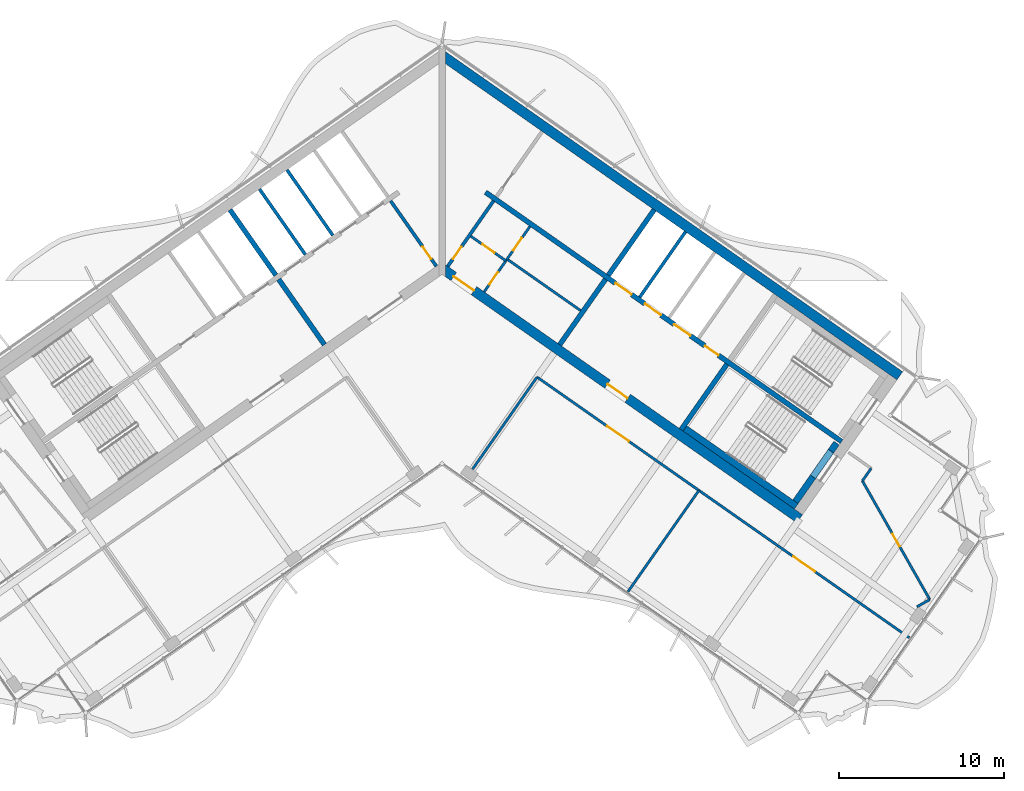
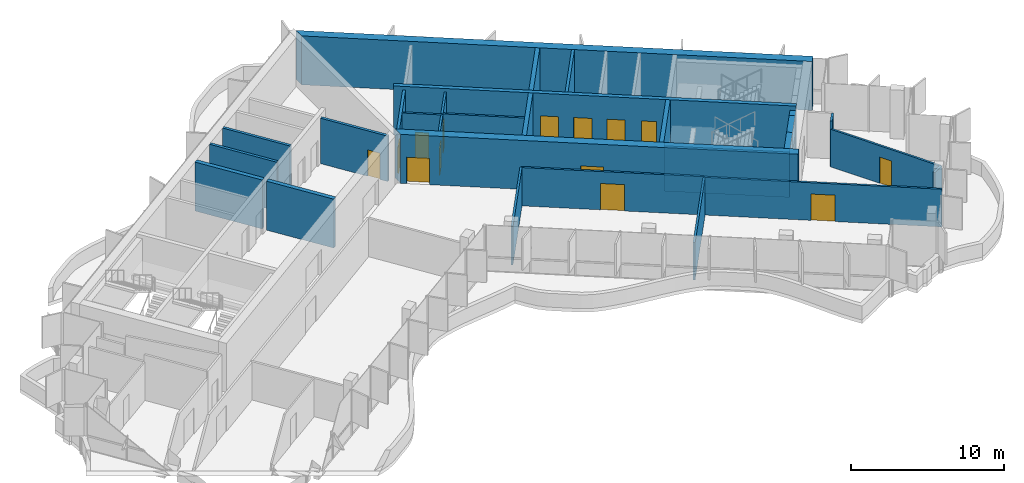
# One storey, part 12 of 19: 27 walls, 14 doors, 14 openings.
"""IFC4 building model written with IfcOpenShell, lengths in metres."""

from ifc_helpers import new_model, si_unit, direction, frame, frame_2d, origin, place, context, subcontext, project, spatial, polyline, rectangle, outline, extrude, material, layer, layer_set, type_object, element, fill, save


model = new_model("IFC4")

# Units and contexts
model_context = context("Model", 3, precision=1e-05, world=origin(), true_north=direction((0.0, 1.0)))
body_context = subcontext(model_context, "Body", "Model", "MODEL_VIEW")
ifc_project = project(units=[si_unit("LENGTHUNIT", "METRE"), si_unit("AREAUNIT", "SQUARE_METRE"), si_unit("VOLUMEUNIT", "CUBIC_METRE"), si_unit("PLANEANGLEUNIT", "RADIAN"), si_unit("MASSUNIT", "GRAM", prefix="KILO")], contexts=[model_context])

# Site, building, storey
site_placement = place(None, origin())
site = spatial("IfcSite", under=ifc_project, at=site_placement, CompositionType="ELEMENT")
building_placement = place(site_placement, origin())
building = spatial("IfcBuilding", under=site, at=building_placement, Name="Tel Ilan Convention Tower", CompositionType="ELEMENT")
storey_placement = place(building_placement, frame((0.0, 0.0, 241.0)))
storey = spatial("IfcBuildingStorey", under=building, at=storey_placement, Name="L56", CompositionType="ELEMENT", Elevation=241.0)

# Wall, openings, doors
ifc_material_1 = material(Name="Gypsum Plasterboard on Steel Stud", Category="steel")
ifc_layer_1 = layer(ifc_material_1, 0.14990234375)
ifc_layer_set_1 = layer_set([ifc_layer_1], Name="Core Room Partition Wall 150 mm EI 60")
wall_type_1 = type_object("IfcWallType", Name="Core Room Partition Wall 150 mm EI 60", PredefinedType="PARTITIONING", material=ifc_layer_set_1)
wall_1_placement = place(storey_placement, frame((2.5556640625, -2.27783203125, 0.0), z_axis=(0.0, 0.0, 1.0), x_axis=(0.573560315113, 0.819163332265, 0.0)))
wall_1 = element("IfcWall", 1, at=wall_1_placement, inside=storey, type_object=wall_type_1, Name="L56 core wall wc-v1", PredefinedType="PARTITIONING", context=body_context, shape_type="SweptSolid", body=[
    extrude(rectangle(XDim=4.849853515625, YDim=0.14990234375, at=frame_2d((2.4248046875, 0.0))), origin(), (0.0, 0.0, 1.0), 3.6201171875),
])
opening_1_placement = place(wall_1_placement, frame((0.550048828125, 0.0, 0.0)))
opening_1 = element("IfcOpeningElement", 2, at=opening_1_placement, cuts=wall_1, Name="Opening CD4311", PredefinedType="OPENING", context=body_context, shape_type="SweptSolid", body=[
    extrude(rectangle(XDim=0.89990234375, YDim=2.10009765625, at=frame_2d((0.449951171875, 1.050048828125))), frame((0.0, 0.0849609375, 0.0), z_axis=(0.0, -1.0, 0.0), x_axis=(1.0, 0.0, 0.0)), (0.0, 0.0, 1.0), 0.169921875),
])
opening_2_placement = place(wall_1_placement, frame((3.074951171875, 0.0, 0.0)))
opening_2 = element("IfcOpeningElement", 3, at=opening_2_placement, cuts=wall_1, Name="Opening CD4312", PredefinedType="OPENING", context=body_context, shape_type="SweptSolid", body=[
    extrude(rectangle(XDim=0.89990234375, YDim=2.10009765625, at=frame_2d((0.449951171875, 1.050048828125))), frame((0.0, 0.0849609375, 0.0), z_axis=(0.0, -1.0, 0.0), x_axis=(1.0, 0.0, 0.0)), (0.0, 0.0, 1.0), 0.169921875),
])
ifc_material_2 = material(Name="Laminated Timber Door Leaf", Category="wood")
door_type_1 = type_object("IfcDoorType", Name="Toilet Door 900 x 2100 FD30S", OperationType="NOTDEFINED", PredefinedType="DOOR", material=ifc_material_2)
door_1_placement = place(opening_1_placement, origin())
door_1 = element("IfcDoor", 4, at=door_1_placement, inside=storey, type_object=door_type_1, Name="Women's WC door", OperationType="SINGLE_SWING_RIGHT", OverallHeight=2.10009765625, OverallWidth=0.89990234375, PredefinedType="DOOR", context=body_context, shape_type="SweptSolid", body=[
    extrude(rectangle(XDim=0.89990234375, YDim=2.10009765625, at=frame_2d((0.449951171875, 1.050048828125))), frame((0.0, 0.02490234375, 0.0), z_axis=(0.0, -1.0, 0.0), x_axis=(1.0, 0.0, 0.0)), (0.0, 0.0, 1.0), 0.050048828125),
])
fill(opening_1, door_1)
door_2_placement = place(opening_2_placement, origin())
door_2 = element("IfcDoor", 5, at=door_2_placement, inside=storey, type_object=door_type_1, Name="Men's WC door", OperationType="SINGLE_SWING_RIGHT", OverallHeight=2.10009765625, OverallWidth=0.89990234375, PredefinedType="DOOR", context=body_context, shape_type="SweptSolid", body=[
    extrude(rectangle(XDim=0.89990234375, YDim=2.10009765625, at=frame_2d((0.449951171875, 1.050048828125))), frame((0.0, 0.02490234375, 0.0), z_axis=(0.0, -1.0, 0.0), x_axis=(1.0, 0.0, 0.0)), (0.0, 0.0, 1.0), 0.050048828125),
])
fill(opening_2, door_2)

# Wall, opening, door
wall_2_placement = place(storey_placement, frame((1.7451171875, 1.097412109375, 0.0), z_axis=(0.0, 0.0, 1.0), x_axis=(0.819178980414, -0.573537965655, 0.0)))
wall_2 = element("IfcWall", 6, at=wall_2_placement, inside=storey, type_object=wall_type_1, Name="L56 core wall wc-h1", PredefinedType="PARTITIONING", context=body_context, shape_type="SweptSolid", body=[
    extrude(rectangle(XDim=2.60009765625, YDim=0.14990234375, at=frame_2d((1.300048828125, 0.0))), origin(), (0.0, 0.0, 1.0), 3.6201171875),
])
opening_3_placement = place(wall_2_placement, frame((0.85009765625, 0.0, 0.0)))
opening_3 = element("IfcOpeningElement", 7, at=opening_3_placement, cuts=wall_2, Name="Opening CD4310", PredefinedType="OPENING", context=body_context, shape_type="SweptSolid", body=[
    extrude(rectangle(XDim=0.89990234375, YDim=2.10009765625, at=frame_2d((0.449951171875, 1.050048828125))), frame((0.0, 0.0849609375, 0.0), z_axis=(0.0, -1.0, 0.0), x_axis=(1.0, 0.0, 0.0)), (0.0, 0.0, 1.0), 0.169921875),
])
door_3_placement = place(opening_3_placement, origin())
door_3 = element("IfcDoor", 8, at=door_3_placement, inside=storey, type_object=door_type_1, Name="Accessible WC door", OperationType="SINGLE_SWING_RIGHT", OverallHeight=2.10009765625, OverallWidth=0.89990234375, PredefinedType="DOOR", context=body_context, shape_type="SweptSolid", body=[
    extrude(rectangle(XDim=0.89990234375, YDim=2.10009765625, at=frame_2d((0.449951171875, 1.050048828125))), frame((0.0, 0.02490234375, 0.0), z_axis=(0.0, -1.0, 0.0), x_axis=(1.0, 0.0, 0.0)), (0.0, 0.0, 1.0), 0.050048828125),
])
fill(opening_3, door_3)

# Wall
wall_3_placement = place(storey_placement, frame((3.946533203125, -0.29150390625, 0.0), z_axis=(0.0, 0.0, 1.0), x_axis=(0.819151939971, -0.573576585332, 0.0)))
element("IfcWall", 9, at=wall_3_placement, inside=storey, type_object=wall_type_1, Name="L56 core wall wc-h2", PredefinedType="PARTITIONING", context=body_context, shape_type="SweptSolid", body=[
    extrude(rectangle(XDim=5.449951171875, YDim=0.14990234375, at=frame_2d((2.72509765625, 0.0))), origin(), (0.0, 0.0, 1.0), 3.6201171875),
])

# Wall, opening, door
ifc_material_3 = material(Name="Concrete C30/37", Category="concrete")
ifc_layer_2 = layer(ifc_material_3, 0.199951171875)
ifc_layer_set_2 = layer_set([ifc_layer_2], Name="Core Service Room Wall 200 mm C30/37")
wall_type_2 = type_object("IfcWallType", Name="Core Service Room Wall 200 mm C30/37", PredefinedType="SOLIDWALL", material=ifc_layer_set_2)
wall_4_placement = place(storey_placement, frame((-0.343994140625, -0.729248046875, 0.0), z_axis=(0.0, 0.0, 1.0), x_axis=(-0.573560315113, 0.819163332265, 0.0)))
wall_4 = element("IfcWall", 10, at=wall_4_placement, inside=storey, type_object=wall_type_2, Name="L56 core wall apex-W", PredefinedType="SOLIDWALL", context=body_context, shape_type="SweptSolid", body=[
    extrude(rectangle(XDim=4.849853515625, YDim=0.199951171875, at=frame_2d((2.4248046875, 0.0))), origin(), (0.0, 0.0, 1.0), 3.6201171875),
])
opening_4_placement = place(wall_4_placement, frame((0.550048828125, 0.0, 0.0)))
opening_4 = element("IfcOpeningElement", 11, at=opening_4_placement, cuts=wall_4, Name="Opening CD4302", PredefinedType="OPENING", context=body_context, shape_type="SweptSolid", body=[
    extrude(rectangle(XDim=0.89990234375, YDim=2.10009765625, at=frame_2d((0.449951171875, 1.050048828125))), frame((0.0, 0.10986328125, 0.0), z_axis=(0.0, -1.0, 0.0), x_axis=(1.0, 0.0, 0.0)), (0.0, 0.0, 1.0), 0.219970703125),
])
ifc_material_4 = material(Name="Galvanised Steel Door Leaf", Category="steel")
door_type_2 = type_object("IfcDoorType", Name="Service Room Door 900 x 2100 FD60", OperationType="NOTDEFINED", PredefinedType="DOOR", material=ifc_material_4)
door_4_placement = place(opening_4_placement, origin())
door_4 = element("IfcDoor", 12, at=door_4_placement, inside=storey, type_object=door_type_2, Name="Electrical Room door", OperationType="SINGLE_SWING_RIGHT", OverallHeight=2.10009765625, OverallWidth=0.89990234375, PredefinedType="DOOR", context=body_context, shape_type="SweptSolid", body=[
    extrude(rectangle(XDim=0.89990234375, YDim=2.10009765625, at=frame_2d((0.449951171875, 1.050048828125))), frame((0.0, 0.02490234375, 0.0), z_axis=(0.0, -1.0, 0.0), x_axis=(1.0, 0.0, 0.0)), (0.0, 0.0, 1.0), 0.050048828125),
])
fill(opening_4, door_4)

wall_5_placement = place(storey_placement, frame((0.343994140625, -0.729248046875, 0.0), z_axis=(0.0, 0.0, 1.0), x_axis=(0.573560315113, 0.819163332265, 0.0)))
wall_5 = element("IfcWall", 13, at=wall_5_placement, inside=storey, type_object=wall_type_2, Name="L56 core wall apex-E", PredefinedType="SOLIDWALL", context=body_context, shape_type="SweptSolid", body=[
    extrude(rectangle(XDim=4.849853515625, YDim=0.199951171875, at=frame_2d((2.4248046875, 0.0))), origin(), (0.0, 0.0, 1.0), 3.6201171875),
])
opening_5_placement = place(wall_5_placement, frame((0.550048828125, 0.0, 0.0)))
opening_5 = element("IfcOpeningElement", 14, at=opening_5_placement, cuts=wall_5, Name="Opening CD4301", PredefinedType="OPENING", context=body_context, shape_type="SweptSolid", body=[
    extrude(rectangle(XDim=0.89990234375, YDim=2.10009765625, at=frame_2d((0.449951171875, 1.050048828125))), frame((0.0, 0.10986328125, 0.0), z_axis=(0.0, -1.0, 0.0), x_axis=(1.0, 0.0, 0.0)), (0.0, 0.0, 1.0), 0.219970703125),
])
door_5_placement = place(opening_5_placement, origin())
door_5 = element("IfcDoor", 15, at=door_5_placement, inside=storey, type_object=door_type_2, Name="Store Room door", OperationType="SINGLE_SWING_RIGHT", OverallHeight=2.10009765625, OverallWidth=0.89990234375, PredefinedType="DOOR", context=body_context, shape_type="SweptSolid", body=[
    extrude(rectangle(XDim=0.89990234375, YDim=2.10009765625, at=frame_2d((0.449951171875, 1.050048828125))), frame((0.0, 0.02490234375, 0.0), z_axis=(0.0, -1.0, 0.0), x_axis=(1.0, 0.0, 0.0)), (0.0, 0.0, 1.0), 0.050048828125),
])
fill(opening_5, door_5)

# Walls
ifc_material_5 = material(Name="Concrete C40/50", Category="concrete")
ifc_layer_3 = layer(ifc_material_5, 0.300048828125)
ifc_layer_set_3 = layer_set([ifc_layer_3], Name="Core Shear Wall 300 mm C40/50")
wall_type_3 = type_object("IfcWallType", Name="Core Shear Wall 300 mm C40/50", PredefinedType="SHEAR", material=ifc_layer_set_3)
wall_6_placement = place(storey_placement, frame((-7.142822265625, -5.48974609375, 0.0), z_axis=(0.0, 0.0, 1.0), x_axis=(-0.573617744349, 0.819123118565, 0.0)))
element("IfcWall", 16, at=wall_6_placement, inside=storey, type_object=wall_type_3, Name="L56 core wall W-cross1-1", PredefinedType="SHEAR", context=body_context, shape_type="SweptSolid", body=[
    extrude(outline(polyline([(4.85009765625, 0.14990234375), (0.0, 0.150146484375), (0.0, -0.14990234375), (4.85009765625, -0.150146484375), (4.85009765625, 0.14990234375)])), origin(), (0.0, 0.0, 1.0), 3.89990234375),
])
wall_7_placement = place(storey_placement, frame((-10.096923828125, -1.271240234375, 0.0), z_axis=(0.0, 0.0, 1.0), x_axis=(-0.573560315113, 0.819163332265, 0.0)))
element("IfcWall", 17, at=wall_7_placement, inside=storey, type_object=wall_type_3, Name="L56 core wall W-cross1-2", PredefinedType="SHEAR", context=body_context, shape_type="SweptSolid", body=[
    extrude(outline(polyline([(4.849853515625, -0.14990234375), (4.849853515625, 0.150146484375), (0.0, 0.14990234375), (0.0, -0.150146484375), (4.849853515625, -0.14990234375)])), origin(), (0.0, 0.0, 1.0), 3.89990234375),
])
wall_8_placement = place(storey_placement, frame((7.142822265625, -5.48974609375, 0.0), z_axis=(0.0, 0.0, 1.0), x_axis=(0.573617744349, 0.819123118565, 0.0)))
element("IfcWall", 18, at=wall_8_placement, inside=storey, type_object=wall_type_3, Name="L56 core wall E-cross1-1", PredefinedType="SHEAR", context=body_context, shape_type="SweptSolid", body=[
    extrude(outline(polyline([(0.0, 0.14990234375), (0.0, -0.150146484375), (4.85009765625, -0.14990234375), (4.85009765625, 0.150146484375), (0.0, 0.14990234375)])), origin(), (0.0, 0.0, 1.0), 3.89990234375),
])
wall_9_placement = place(storey_placement, frame((10.096923828125, -1.271240234375, 0.0), z_axis=(0.0, 0.0, 1.0), x_axis=(0.573560315113, 0.819163332265, 0.0)))
element("IfcWall", 19, at=wall_9_placement, inside=storey, type_object=wall_type_3, Name="L56 core wall E-cross1-2", PredefinedType="SHEAR", context=body_context, shape_type="SweptSolid", body=[
    extrude(outline(polyline([(4.849853515625, -0.150146484375), (4.849853515625, 0.14990234375), (0.0, 0.150146484375), (0.0, -0.14990234375), (4.849853515625, -0.150146484375)])), origin(), (0.0, 0.0, 1.0), 3.89990234375),
])
wall_10_placement = place(storey_placement, frame((14.515380859375, -10.652099609375, 0.0), z_axis=(0.0, 0.0, 1.0), x_axis=(0.573560315113, 0.819163332265, 0.0)))
element("IfcWall", 20, at=wall_10_placement, inside=storey, type_object=wall_type_3, Name="L56 core wall E-cross2-1", PredefinedType="SHEAR", context=body_context, shape_type="SweptSolid", body=[
    extrude(outline(polyline([(0.0, 0.150146484375), (0.0, -0.14990234375), (4.85009765625, -0.14990234375), (4.85009765625, 0.14990234375), (0.0, 0.150146484375)])), origin(), (0.0, 0.0, 1.0), 3.89990234375),
])

# Wall, openings, doors
wall_11_placement = place(storey_placement, frame((2.638427734375, 3.76806640625, 0.0), z_axis=(0.0, 0.0, 1.0), x_axis=(0.819155014212, -0.573572194837, 0.0)))
wall_11 = element("IfcWall", 21, at=wall_11_placement, inside=storey, type_object=wall_type_3, Name="L56 core wall E-spine", PredefinedType="SHEAR", context=body_context, shape_type="SweptSolid", body=[
    extrude(outline(polyline([(0.0, 0.150146484375), (0.0, -0.14990234375), (26.39990234375, -0.150146484375), (26.39990234375, 0.14990234375), (0.0, 0.150146484375)])), origin(), (0.0, 0.0, 1.0), 3.89990234375),
])
opening_6_placement = place(wall_11_placement, frame((9.637451171875, 0.0, 0.0)))
opening_6 = element("IfcOpeningElement", 22, at=opening_6_placement, cuts=wall_11, Name="Opening LD4301", PredefinedType="OPENING", context=body_context, shape_type="SweptSolid", body=[
    extrude(rectangle(XDim=1.199951171875, YDim=2.10009765625, at=frame_2d((0.60009765625, 1.050048828125))), frame((0.0, 0.159912109375, 0.0), z_axis=(0.0, -1.0, 0.0), x_axis=(1.0, 0.0, 0.0)), (0.0, 0.0, 1.0), 0.320068359375),
])
opening_7_placement = place(wall_11_placement, frame((11.8125, 0.0, 0.0)))
opening_7 = element("IfcOpeningElement", 23, at=opening_7_placement, cuts=wall_11, Name="Opening LD4302", PredefinedType="OPENING", context=body_context, shape_type="SweptSolid", body=[
    extrude(rectangle(XDim=1.199951171875, YDim=2.10009765625, at=frame_2d((0.60009765625, 1.050048828125))), frame((0.0, 0.159912109375, 0.0), z_axis=(0.0, -1.0, 0.0), x_axis=(1.0, 0.0, 0.0)), (0.0, 0.0, 1.0), 0.320068359375),
])
opening_8_placement = place(wall_11_placement, frame((13.987548828125, 0.0, 0.0)))
opening_8 = element("IfcOpeningElement", 24, at=opening_8_placement, cuts=wall_11, Name="Opening LD4303", PredefinedType="OPENING", context=body_context, shape_type="SweptSolid", body=[
    extrude(rectangle(XDim=1.199951171875, YDim=2.10009765625, at=frame_2d((0.60009765625, 1.050048828125))), frame((0.0, 0.159912109375, 0.0), z_axis=(0.0, -1.0, 0.0), x_axis=(1.0, 0.0, 0.0)), (0.0, 0.0, 1.0), 0.320068359375),
])
opening_9_placement = place(wall_11_placement, frame((16.262451171875, 0.0, 0.0)))
opening_9 = element("IfcOpeningElement", 25, at=opening_9_placement, cuts=wall_11, Name="Opening CD4308", PredefinedType="OPENING", context=body_context, shape_type="SweptSolid", body=[
    extrude(rectangle(XDim=1.0, YDim=2.10009765625, at=frame_2d((0.5, 1.050048828125))), frame((0.0, 0.159912109375, 0.0), z_axis=(0.0, -1.0, 0.0), x_axis=(1.0, 0.0, 0.0)), (0.0, 0.0, 1.0), 0.320068359375),
])
ifc_material_6 = material(Name="Stainless Steel Sliding Door Leaf", Category="steel")
door_type_3 = type_object("IfcDoorType", Name="Lift Landing Door 1200 x 2100 FD120", OperationType="NOTDEFINED", PredefinedType="DOOR", material=ifc_material_6)
door_6_placement = place(opening_6_placement, origin())
door_6 = element("IfcDoor", 26, at=door_6_placement, inside=storey, type_object=door_type_3, Name="Lift FL1 landing door", OperationType="SLIDING_TO_LEFT", OverallHeight=2.10009765625, OverallWidth=1.199951171875, PredefinedType="DOOR", context=body_context, shape_type="SweptSolid", body=[
    extrude(rectangle(XDim=1.199951171875, YDim=2.10009765625, at=frame_2d((0.60009765625, 1.050048828125))), frame((0.0, 0.02490234375, 0.0), z_axis=(0.0, -1.0, 0.0), x_axis=(1.0, 0.0, 0.0)), (0.0, 0.0, 1.0), 0.050048828125),
])
fill(opening_6, door_6)
door_7_placement = place(opening_7_placement, origin())
door_7 = element("IfcDoor", 27, at=door_7_placement, inside=storey, type_object=door_type_3, Name="Lift FL2 landing door", OperationType="SLIDING_TO_RIGHT", OverallHeight=2.10009765625, OverallWidth=1.199951171875, PredefinedType="DOOR", context=body_context, shape_type="SweptSolid", body=[
    extrude(rectangle(XDim=1.199951171875, YDim=2.10009765625, at=frame_2d((0.60009765625, 1.050048828125))), frame((0.0, 0.02490234375, 0.0), z_axis=(0.0, -1.0, 0.0), x_axis=(1.0, 0.0, 0.0)), (0.0, 0.0, 1.0), 0.050048828125),
])
fill(opening_7, door_7)
door_8_placement = place(opening_8_placement, origin())
door_8 = element("IfcDoor", 28, at=door_8_placement, inside=storey, type_object=door_type_3, Name="Lift FL3 landing door", OperationType="SLIDING_TO_LEFT", OverallHeight=2.10009765625, OverallWidth=1.199951171875, PredefinedType="DOOR", context=body_context, shape_type="SweptSolid", body=[
    extrude(rectangle(XDim=1.199951171875, YDim=2.10009765625, at=frame_2d((0.60009765625, 1.050048828125))), frame((0.0, 0.02490234375, 0.0), z_axis=(0.0, -1.0, 0.0), x_axis=(1.0, 0.0, 0.0)), (0.0, 0.0, 1.0), 0.050048828125),
])
fill(opening_8, door_8)
ifc_material_7 = material(Name="Galvanised Steel Door Leaf", Category="steel")
door_type_4 = type_object("IfcDoorType", Name="Service Room Door 1000 x 2100 FD60", OperationType="NOTDEFINED", PredefinedType="DOOR", material=ifc_material_7)
door_9_placement = place(opening_9_placement, origin())
door_9 = element("IfcDoor", 29, at=door_9_placement, inside=storey, type_object=door_type_4, Name="Plant Room door", OperationType="SINGLE_SWING_RIGHT", OverallHeight=2.10009765625, OverallWidth=1.0, PredefinedType="DOOR", context=body_context, shape_type="SweptSolid", body=[
    extrude(rectangle(XDim=1.0, YDim=2.10009765625, at=frame_2d((0.5, 1.050048828125))), frame((0.0, 0.02490234375, 0.0), z_axis=(0.0, -1.0, 0.0), x_axis=(1.0, 0.0, 0.0)), (0.0, 0.0, 1.0), 0.050048828125),
])
fill(opening_9, door_9)

# Wall
ifc_material_8 = material(Name="Concrete C40/50", Category="concrete")
ifc_layer_4 = layer(ifc_material_8, 0.60009765625)
ifc_layer_set_4 = layer_set([ifc_layer_4], Name="Core Shear Wall 600 mm C40/50")
wall_type_4 = type_object("IfcWallType", Name="Core Shear Wall 600 mm C40/50", PredefinedType="SHEAR", material=ifc_layer_set_4)
wall_12_placement = place(storey_placement, frame((0.02783203125, 12.066162109375, 0.0), z_axis=(0.0, 0.0, 1.0), x_axis=(0.819151382952, -0.573577380837, 0.0)))
element("IfcWall", 30, at=wall_12_placement, inside=storey, type_object=wall_type_4, Name="L56 core wall E-back", PredefinedType="SHEAR", context=body_context, shape_type="SweptSolid", body=[
    extrude(outline(polyline([(33.898193359375, 0.300048828125), (0.0, 0.300048828125), (0.420166015625, -0.300048828125), (33.89794921875, -0.300048828125), (33.898193359375, 0.300048828125)])), origin(), (0.0, 0.0, 1.0), 3.89990234375),
])

# Wall, openings, doors
wall_13_placement = place(storey_placement, frame((0.02783203125, -0.8740234375, 0.0), z_axis=(0.0, 0.0, 1.0), x_axis=(0.819150035022, -0.573579305871, 0.0)))
wall_13 = element("IfcWall", 31, at=wall_13_placement, inside=storey, type_object=wall_type_4, Name="L56 core wall E-front", PredefinedType="SHEAR", context=body_context, shape_type="SweptSolid", body=[
    extrude(outline(polyline([(26.475830078125, 0.300048828125), (0.000244140625, 0.300048828125), (0.420166015625, -0.300048828125), (26.475830078125, -0.2998046875), (26.475830078125, 0.300048828125)])), origin(), (0.0, 0.0, 1.0), 3.89990234375),
])
opening_10_placement = place(wall_13_placement, frame((0.82568359375, 0.0, 0.0)))
opening_10 = element("IfcOpeningElement", 32, at=opening_10_placement, cuts=wall_13, Name="Opening CD4304", PredefinedType="OPENING", context=body_context, shape_type="SweptSolid", body=[
    extrude(rectangle(XDim=1.5, YDim=2.10009765625, at=frame_2d((0.75, 1.050048828125))), frame((0.0, 0.31005859375, 0.0), z_axis=(0.0, -1.0, 0.0), x_axis=(1.0, 0.0, 0.0)), (0.0, 0.0, 1.0), 0.6201171875),
])
opening_11_placement = place(wall_13_placement, frame((12.225830078125, 0.0, 0.0)))
opening_11 = element("IfcOpeningElement", 33, at=opening_11_placement, cuts=wall_13, Name="Opening CD4305", PredefinedType="OPENING", context=body_context, shape_type="SweptSolid", body=[
    extrude(rectangle(XDim=1.5, YDim=2.10009765625, at=frame_2d((0.75, 1.050048828125))), frame((0.0, 0.31005859375, 0.0), z_axis=(0.0, -1.0, 0.0), x_axis=(1.0, 0.0, 0.0)), (0.0, 0.0, 1.0), 0.6201171875),
])
ifc_material_9 = material(Name="Glazed Aluminium Door Leaf", Category="aluminium")
door_type_5 = type_object("IfcDoorType", Name="Lobby Opening Door 1500 x 2100 FD60S", OperationType="NOTDEFINED", PredefinedType="DOOR", material=ifc_material_9)
door_10_placement = place(opening_11_placement, origin())
door_10 = element("IfcDoor", 34, at=door_10_placement, inside=storey, type_object=door_type_5, Name="Firefighting Lobby door", OperationType="DOUBLE_DOOR_SINGLE_SWING", OverallHeight=2.10009765625, OverallWidth=1.5, PredefinedType="DOOR", context=body_context, shape_type="SweptSolid", body=[
    extrude(rectangle(XDim=1.5, YDim=2.10009765625, at=frame_2d((0.75, 1.050048828125))), frame((0.0, 0.02490234375, 0.0), z_axis=(0.0, -1.0, 0.0), x_axis=(1.0, 0.0, 0.0)), (0.0, 0.0, 1.0), 0.050048828125),
])
fill(opening_11, door_10)
ifc_material_10 = material(Name="Laminated Timber Door Leaf", Category="wood")
door_type_6 = type_object("IfcDoorType", Name="Toilet Door 1500 x 2100 FD30S", OperationType="NOTDEFINED", PredefinedType="DOOR", material=ifc_material_10)
door_11_placement = place(opening_10_placement, origin())
door_11 = element("IfcDoor", 35, at=door_11_placement, inside=storey, type_object=door_type_6, Name="WC Lobby door", OperationType="SINGLE_SWING_RIGHT", OverallHeight=2.10009765625, OverallWidth=1.5, PredefinedType="DOOR", context=body_context, shape_type="SweptSolid", body=[
    extrude(rectangle(XDim=1.5, YDim=2.10009765625, at=frame_2d((0.75, 1.050048828125))), frame((0.0, 0.02490234375, 0.0), z_axis=(0.0, -1.0, 0.0), x_axis=(1.0, 0.0, 0.0)), (0.0, 0.0, 1.0), 0.050048828125),
])
fill(opening_10, door_11)

# Wall, opening, door
ifc_material_11 = material(Name="Plasterboard on Steel Studs", Category="steel")
ifc_layer_5 = layer(ifc_material_11, 0.14990234375)
ifc_layer_set_5 = layer_set([ifc_layer_5], Name="Fire-rated Partition 150 EI 60")
wall_type_5 = type_object("IfcWallType", Name="Fire-rated Partition 150 EI 60", PredefinedType="PARTITIONING", material=ifc_layer_set_5)
wall_14_placement = place(storey_placement, frame((15.597900390625, -14.33984375, 0.0), z_axis=(0.0, 0.0, 1.0), x_axis=(-0.81915546166, 0.573571555809, 0.0)))
wall_14 = element("IfcWall", 36, at=wall_14_placement, inside=storey, type_object=wall_type_5, Name="Partition 001", PredefinedType="PARTITIONING", context=body_context, shape_type="SweptSolid", body=[
    extrude(rectangle(XDim=12.001953125, YDim=0.14990234375, at=frame_2d((6.0009765625, 0.0))), origin(), (0.0, 0.0, 1.0), 3.050048828125),
])
opening_12_placement = place(wall_14_placement, frame((5.200927734375, 0.0, 0.0)))
opening_12 = element("IfcOpeningElement", 37, at=opening_12_placement, cuts=wall_14, Name="Opening L56-007", PredefinedType="OPENING", context=body_context, shape_type="SweptSolid", body=[
    extrude(rectangle(XDim=1.60009765625, YDim=2.10009765625, at=frame_2d((0.800048828125, 1.050048828125))), frame((0.0, 0.0849609375, 0.0), z_axis=(0.0, -1.0, 0.0), x_axis=(1.0, 0.0, 0.0)), (0.0, 0.0, 1.0), 0.169921875),
])
ifc_material_12 = material(Name="Timber Door Leaf in Steel Frame", Category="steel")
door_type_7 = type_object("IfcDoorType", Name="Tenant Suite Entrance Fire Door 1600x2100", OperationType="NOTDEFINED", PredefinedType="DOOR", material=ifc_material_12)
door_12_placement = place(opening_12_placement, origin())
door_12 = element("IfcDoor", 38, at=door_12_placement, inside=storey, type_object=door_type_7, Name="Door L56-007", OperationType="DOUBLE_DOOR_SINGLE_SWING", OverallHeight=2.10009765625, OverallWidth=1.60009765625, PredefinedType="DOOR", context=body_context, shape_type="SweptSolid", body=[
    extrude(rectangle(XDim=1.60009765625, YDim=2.10009765625, at=frame_2d((0.800048828125, 1.050048828125))), frame((0.0, 0.02490234375, 0.0), z_axis=(0.0, -1.0, 0.0), x_axis=(1.0, 0.0, 0.0)), (0.0, 0.0, 1.0), 0.050048828125),
])
fill(opening_12, door_12)

wall_15_placement = place(storey_placement, frame((28.375, -23.28662109375, 0.0), z_axis=(0.0, 0.0, 1.0), x_axis=(-0.819153253106, 0.573574709977, 0.0)))
wall_15 = element("IfcWall", 39, at=wall_15_placement, inside=storey, type_object=wall_type_5, Name="Partition 002", PredefinedType="PARTITIONING", context=body_context, shape_type="SweptSolid", body=[
    extrude(rectangle(XDim=15.60205078125, YDim=0.14990234375, at=frame_2d((7.801025390625, 0.0))), origin(), (0.0, 0.0, 1.0), 3.0),
])
opening_13_placement = place(wall_15_placement, frame((7.0009765625, 0.0, 0.0)))
opening_13 = element("IfcOpeningElement", 40, at=opening_13_placement, cuts=wall_15, Name="Opening L56-008", PredefinedType="OPENING", context=body_context, shape_type="SweptSolid", body=[
    extrude(rectangle(XDim=1.60009765625, YDim=2.10009765625, at=frame_2d((0.800048828125, 1.050048828125))), frame((0.0, 0.0849609375, 0.0), z_axis=(0.0, -1.0, 0.0), x_axis=(1.0, 0.0, 0.0)), (0.0, 0.0, 1.0), 0.169921875),
])
door_13_placement = place(opening_13_placement, origin())
door_13 = element("IfcDoor", 41, at=door_13_placement, inside=storey, type_object=door_type_7, Name="Door L56-008", OperationType="DOUBLE_DOOR_SINGLE_SWING", OverallHeight=2.10009765625, OverallWidth=1.60009765625, PredefinedType="DOOR", context=body_context, shape_type="SweptSolid", body=[
    extrude(rectangle(XDim=1.60009765625, YDim=2.10009765625, at=frame_2d((0.800048828125, 1.050048828125))), frame((0.0, 0.02490234375, 0.0), z_axis=(0.0, -1.0, 0.0), x_axis=(1.0, 0.0, 0.0)), (0.0, 0.0, 1.0), 0.050048828125),
])
fill(opening_13, door_13)

# Wall
wall_16_placement = place(storey_placement, frame((28.833984375, -21.41064453125, 0.0), z_axis=(0.0, 0.0, 1.0), x_axis=(0.869525386045, 0.493888249529, 0.0)))
element("IfcWall", 42, at=wall_16_placement, inside=storey, type_object=wall_type_5, Name="Partition 007", PredefinedType="PARTITIONING", context=body_context, shape_type="SweptSolid", body=[
    extrude(rectangle(XDim=0.900146484375, YDim=0.14990234375, at=frame_2d((0.4501953125, 0.0))), origin(), (0.0, 0.0, 1.0), 3.0),
])

# Wall, opening, door
wall_17_placement = place(storey_placement, frame((29.61669921875, -20.966064453125, 0.0), z_axis=(0.0, 0.0, 1.0), x_axis=(-0.493827705015, 0.86955977239, 0.0)))
wall_17 = element("IfcWall", 43, at=wall_17_placement, inside=storey, type_object=wall_type_5, Name="Partition 008", PredefinedType="PARTITIONING", context=body_context, shape_type="SweptSolid", body=[
    extrude(rectangle(XDim=8.287841796875, YDim=0.14990234375, at=frame_2d((4.14404296875, 0.0))), origin(), (0.0, 0.0, 1.0), 3.0),
])
opening_14_placement = place(wall_17_placement, frame((3.69384765625, 0.0, 0.0)))
opening_14 = element("IfcOpeningElement", 44, at=opening_14_placement, cuts=wall_17, Name="Opening L56-009", PredefinedType="OPENING", context=body_context, shape_type="SweptSolid", body=[
    extrude(rectangle(XDim=0.89990234375, YDim=2.10009765625, at=frame_2d((0.449951171875, 1.050048828125))), frame((0.0, 0.0849609375, 0.0), z_axis=(0.0, -1.0, 0.0), x_axis=(1.0, 0.0, 0.0)), (0.0, 0.0, 1.0), 0.169921875),
])
ifc_material_13 = material(Name="Timber Door Leaf in Steel Frame", Category="steel")
door_type_8 = type_object("IfcDoorType", Name="Room Fire Door 900x2100", OperationType="NOTDEFINED", PredefinedType="DOOR", material=ifc_material_13)
door_14_placement = place(opening_14_placement, origin())
door_14 = element("IfcDoor", 45, at=door_14_placement, inside=storey, type_object=door_type_8, Name="Door L56-009", OperationType="SINGLE_SWING_RIGHT", OverallHeight=2.10009765625, OverallWidth=0.89990234375, PredefinedType="DOOR", context=body_context, shape_type="SweptSolid", body=[
    extrude(rectangle(XDim=0.89990234375, YDim=2.10009765625, at=frame_2d((0.449951171875, 1.050048828125))), frame((0.0, 0.02490234375, 0.0), z_axis=(0.0, -1.0, 0.0), x_axis=(1.0, 0.0, 0.0)), (0.0, 0.0, 1.0), 0.050048828125),
])
fill(opening_14, door_14)

# Walls
wall_18_placement = place(storey_placement, frame((25.52392578125, -13.75927734375, 0.0), z_axis=(0.0, 0.0, 1.0), x_axis=(0.573497542524, 0.81920728068, 0.0)))
element("IfcWall", 46, at=wall_18_placement, inside=storey, type_object=wall_type_5, Name="Partition 009", PredefinedType="PARTITIONING", context=body_context, shape_type="SweptSolid", body=[
    extrude(rectangle(XDim=0.930908203125, YDim=0.14990234375, at=frame_2d((0.46533203125, 0.0))), origin(), (0.0, 0.0, 1.0), 3.6201171875),
])
wall_19_placement = place(storey_placement, frame((15.59619140625, -14.338623046875, 0.0), z_axis=(0.0, 0.0, 1.0), x_axis=(-0.573560650686, -0.819163097304, 0.0)))
element("IfcWall", 47, at=wall_19_placement, inside=storey, type_object=wall_type_5, Name="Partition 011", PredefinedType="PARTITIONING", context=body_context, shape_type="SweptSolid", body=[
    extrude(rectangle(XDim=7.5, YDim=0.14990234375, at=frame_2d((3.75, 0.0))), origin(), (0.0, 0.0, 1.0), 3.0),
])
wall_20_placement = place(storey_placement, frame((1.848876953125, -13.050537109375, 0.0), z_axis=(0.0, 0.0, 1.0), x_axis=(0.573577493031, 0.819151304393, 0.0)))
element("IfcWall", 48, at=wall_20_placement, inside=storey, type_object=wall_type_5, Name="Partition 012", PredefinedType="PARTITIONING", context=body_context, shape_type="SweptSolid", body=[
    extrude(rectangle(XDim=6.829833984375, YDim=0.14990234375, at=frame_2d((3.4150390625, 0.0))), origin(), (0.0, 0.0, 1.0), 3.050048828125),
])
ifc_material_14 = material(Name="Concrete C30/37", Category="concrete")
ifc_layer_6 = layer(ifc_material_14, 0.199951171875)
ifc_layer_set_6 = layer_set([ifc_layer_6], Name="Lift Shaft Wall 200 mm C30/37")
wall_type_6 = type_object("IfcWallType", Name="Lift Shaft Wall 200 mm C30/37", PredefinedType="SOLIDWALL", material=ifc_layer_set_6)
wall_21_placement = place(storey_placement, frame((-6.635986328125, 1.152099609375, 0.0), z_axis=(0.0, 0.0, 1.0), x_axis=(-0.573560315113, 0.819163332265, 0.0)))
element("IfcWall", 49, at=wall_21_placement, inside=storey, type_object=wall_type_6, Name="L56 core wall bank-W1-p1", PredefinedType="SOLIDWALL", context=body_context, shape_type="SweptSolid", body=[
    extrude(rectangle(XDim=4.849853515625, YDim=0.199951171875, at=frame_2d((2.4248046875, 0.0))), origin(), (0.0, 0.0, 1.0), 3.89990234375),
])
wall_22_placement = place(storey_placement, frame((-8.304931640625, -0.0166015625, 0.0), z_axis=(0.0, 0.0, 1.0), x_axis=(-0.573594092424, 0.81913968109, 0.0)))
element("IfcWall", 50, at=wall_22_placement, inside=storey, type_object=wall_type_6, Name="L56 core wall bank-W1-p2", PredefinedType="SOLIDWALL", context=body_context, shape_type="SweptSolid", body=[
    extrude(rectangle(XDim=4.85009765625, YDim=0.199951171875, at=frame_2d((2.425048828125, 0.0))), origin(), (0.0, 0.0, 1.0), 3.89990234375),
])
wall_23_placement = place(storey_placement, frame((12.00146484375, -2.604736328125, 0.0), z_axis=(0.0, 0.0, 1.0), x_axis=(0.573560315113, 0.819163332265, 0.0)))
element("IfcWall", 51, at=wall_23_placement, inside=storey, type_object=wall_type_6, Name="L56 core wall bank-E2-p0", PredefinedType="SOLIDWALL", context=body_context, shape_type="SweptSolid", body=[
    extrude(rectangle(XDim=4.849853515625, YDim=0.199951171875, at=frame_2d((2.4248046875, 0.0))), origin(), (0.0, 0.0, 1.0), 3.89990234375),
])
ifc_material_15 = material(Name="Concrete C30/37", Category="concrete")
ifc_layer_7 = layer(ifc_material_15, 0.39990234375)
ifc_layer_set_7 = layer_set([ifc_layer_7], Name="Stair and Shaft Lining Wall 400 mm C30/37")
wall_type_7 = type_object("IfcWallType", Name="Stair and Shaft Lining Wall 400 mm C30/37", PredefinedType="SOLIDWALL", material=ifc_layer_set_7)
wall_24_placement = place(storey_placement, frame((14.7529296875, -10.57421875, 0.0), z_axis=(0.0, 0.0, 1.0), x_axis=(0.819158229677, -0.573567602601, 0.0)))
element("IfcWall", 52, at=wall_24_placement, inside=storey, type_object=wall_type_7, Name="L56 core wall lining-S4-t0", PredefinedType="SOLIDWALL", context=body_context, shape_type="SweptSolid", body=[
    extrude(rectangle(XDim=8.25, YDim=0.39990234375, at=frame_2d((4.125, 0.0))), origin(), (0.0, 0.0, 1.0), 3.6201171875),
])
wall_25_placement = place(storey_placement, frame((21.4619140625, -15.027587890625, 0.0), z_axis=(0.0, 0.0, 1.0), x_axis=(0.573559770908, 0.819163713305, 0.0)))
element("IfcWall", 53, at=wall_25_placement, inside=storey, type_object=wall_type_7, Name="L56 core wall lining-S4-u1-0", PredefinedType="SOLIDWALL", context=body_context, shape_type="SweptSolid", body=[
    extrude(rectangle(XDim=1.849853515625, YDim=0.39990234375, at=frame_2d((0.9248046875, 0.0))), origin(), (0.0, 0.0, 1.0), 3.6201171875),
])
wall_26_placement = place(storey_placement, frame((23.61279296875, -11.955810546875, 0.0), z_axis=(0.0, 0.0, 1.0), x_axis=(0.573435029941, 0.819251039936, 0.0)))
element("IfcWall", 54, at=wall_26_placement, inside=storey, type_object=wall_type_7, Name="L56 core wall lining-S4-u1-1", PredefinedType="SOLIDWALL", context=body_context, shape_type="SweptSolid", body=[
    extrude(rectangle(XDim=0.599853515625, YDim=0.39990234375, at=frame_2d((0.2998046875, 0.0))), origin(), (0.0, 0.0, 1.0), 3.6201171875),
])
wall_27_placement = place(storey_placement, frame((22.52294921875, -13.51220703125, 2.14990234375), z_axis=(0.0, 0.0, 1.0), x_axis=(0.573591692345, 0.819141361715, 0.0)))
element("IfcWall", 55, at=wall_27_placement, inside=storey, type_object=wall_type_7, Name="L56 core wall lining-S4-u1-lintel", PredefinedType="SOLIDWALL", context=body_context, shape_type="SweptSolid", body=[
    extrude(rectangle(XDim=1.900146484375, YDim=0.39990234375, at=frame_2d((0.9501953125, 0.0))), origin(), (0.0, 0.0, 1.0), 1.47021484375),
])

save(model, "model.ifc")
